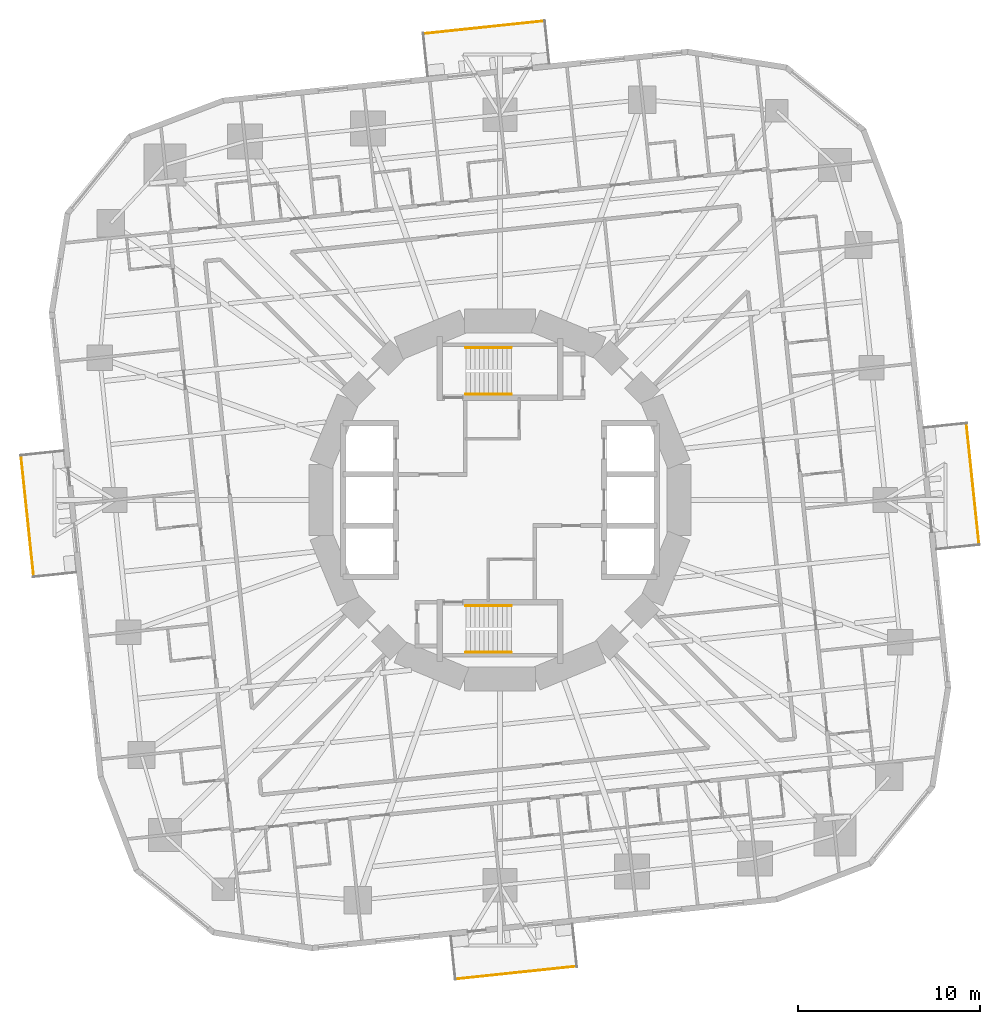
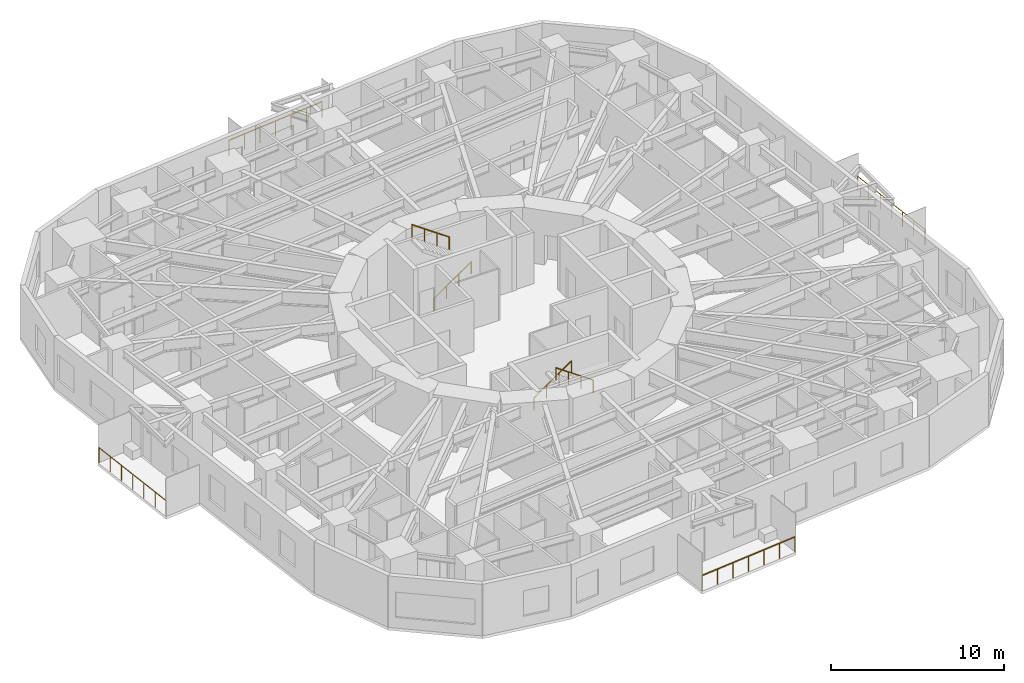
# One storey, part 12 of 13: 8 railings.
"""IFC4 building model written with IfcOpenShell, lengths in metres."""

from ifc_helpers import new_model, si_unit, direction, frame, origin, origin_2d, place, context, subcontext, project, spatial, circle, extrude, material, type_object, element, save


model = new_model("IFC4")

# Units and contexts
model_context = context("Model", 3, precision=1e-05, world=origin(), true_north=direction((0.0, 1.0)))
body_context = subcontext(model_context, "Body", "Model", "MODEL_VIEW")
ifc_project = project(units=[si_unit("LENGTHUNIT", "METRE"), si_unit("AREAUNIT", "SQUARE_METRE"), si_unit("VOLUMEUNIT", "CUBIC_METRE"), si_unit("PLANEANGLEUNIT", "RADIAN"), si_unit("MASSUNIT", "GRAM", prefix="KILO")], contexts=[model_context])

# Site, building, storey
site_placement = place(None, origin())
site = spatial("IfcSite", under=ifc_project, at=site_placement, CompositionType="ELEMENT")
building_placement = place(site_placement, origin())
building = spatial("IfcBuilding", under=site, at=building_placement, Name="Nakasero Lantern House", CompositionType="ELEMENT")
storey_placement = place(building_placement, frame((0.0, 0.0, 75.89990234375)))
storey = spatial("IfcBuildingStorey", under=building, at=storey_placement, Name="L18", CompositionType="ELEMENT", Elevation=75.89990234375)

# Railings
ifc_material_1 = material(Name="Aluminium 6063-T6", Category="aluminium")
railing_type_1 = type_object("IfcRailingType", Name="Balcony guard 1100", PredefinedType="BALUSTRADE", material=ifc_material_1)
railing_1_placement = place(storey_placement, frame((26.247802734375, -2.4296875, 0.0)))
element("IfcRailing", 1, at=railing_1_placement, inside=storey, type_object=railing_type_1, Name="Balcony guard L18 BAL0", PredefinedType="BALUSTRADE", context=body_context, shape_type="SweptSolid", body=[
    extrude(circle(Radius=0.02392578125, at=origin_2d()), frame((0.0, 0.0, 1.076171875), z_axis=(-0.104541525597, 0.994520522375, 0.0), x_axis=(-0.994520522375, -0.104541525597, 0.0)), (0.0, 0.0, 1.0), 6.6533203125),
    extrude(circle(Radius=0.02099609375, at=origin_2d()), origin(), (0.0, 0.0, 1.0), 1.052001953125),
    extrude(circle(Radius=0.02099609375, at=origin_2d()), frame((-0.115966796875, 1.102783203125, 0.0)), (0.0, 0.0, 1.0), 1.052001953125),
    extrude(circle(Radius=0.02099609375, at=origin_2d()), frame((-0.23193359375, 2.20556640625, 0.0)), (0.0, 0.0, 1.0), 1.052001953125),
    extrude(circle(Radius=0.02099609375, at=origin_2d()), frame((-0.34765625, 3.30859375, 0.0)), (0.0, 0.0, 1.0), 1.052001953125),
    extrude(circle(Radius=0.02099609375, at=origin_2d()), frame((-0.463623046875, 4.411376953125, 0.0)), (0.0, 0.0, 1.0), 1.052001953125),
    extrude(circle(Radius=0.02099609375, at=origin_2d()), frame((-0.57958984375, 5.51416015625, 0.0)), (0.0, 0.0, 1.0), 1.052001953125),
    extrude(circle(Radius=0.02099609375, at=origin_2d()), frame((-0.695556640625, 6.616943359375, 0.0)), (0.0, 0.0, 1.0), 1.052001953125),
])
railing_2_placement = place(storey_placement, frame((2.4296875, 26.247802734375, 0.0)))
element("IfcRailing", 2, at=railing_2_placement, inside=storey, type_object=railing_type_1, Name="Balcony guard L18 BAL1", PredefinedType="BALUSTRADE", context=body_context, shape_type="SweptSolid", body=[
    extrude(circle(Radius=0.02392578125, at=origin_2d()), frame((0.0, 0.0, 1.076171875), z_axis=(-0.994520522375, -0.104541525597, 0.0), x_axis=(0.104541525597, -0.994520522375, 0.0)), (0.0, 0.0, 1.0), 6.6533203125),
    extrude(circle(Radius=0.02099609375, at=origin_2d()), origin(), (0.0, 0.0, 1.0), 1.052001953125),
    extrude(circle(Radius=0.02099609375, at=origin_2d()), frame((-1.102783203125, -0.115966796875, 0.0)), (0.0, 0.0, 1.0), 1.052001953125),
    extrude(circle(Radius=0.02099609375, at=origin_2d()), frame((-2.20556640625, -0.23193359375, 0.0)), (0.0, 0.0, 1.0), 1.052001953125),
    extrude(circle(Radius=0.02099609375, at=origin_2d()), frame((-3.30859375, -0.34765625, 0.0)), (0.0, 0.0, 1.0), 1.052001953125),
    extrude(circle(Radius=0.02099609375, at=origin_2d()), frame((-4.411376953125, -0.463623046875, 0.0)), (0.0, 0.0, 1.0), 1.052001953125),
    extrude(circle(Radius=0.02099609375, at=origin_2d()), frame((-5.51416015625, -0.57958984375, 0.0)), (0.0, 0.0, 1.0), 1.052001953125),
    extrude(circle(Radius=0.02099609375, at=origin_2d()), frame((-6.616943359375, -0.695556640625, 0.0)), (0.0, 0.0, 1.0), 1.052001953125),
])
railing_3_placement = place(storey_placement, frame((-26.247802734375, 2.4296875, 0.0)))
element("IfcRailing", 3, at=railing_3_placement, inside=storey, type_object=railing_type_1, Name="Balcony guard L18 BAL2", PredefinedType="BALUSTRADE", context=body_context, shape_type="SweptSolid", body=[
    extrude(circle(Radius=0.02392578125, at=origin_2d()), frame((0.0, 0.0, 1.076171875), z_axis=(0.104541525597, -0.994520522375, 0.0), x_axis=(0.994520522375, 0.104541525597, 0.0)), (0.0, 0.0, 1.0), 6.6533203125),
    extrude(circle(Radius=0.02099609375, at=origin_2d()), origin(), (0.0, 0.0, 1.0), 1.052001953125),
    extrude(circle(Radius=0.02099609375, at=origin_2d()), frame((0.115966796875, -1.102783203125, 0.0)), (0.0, 0.0, 1.0), 1.052001953125),
    extrude(circle(Radius=0.02099609375, at=origin_2d()), frame((0.23193359375, -2.20556640625, 0.0)), (0.0, 0.0, 1.0), 1.052001953125),
    extrude(circle(Radius=0.02099609375, at=origin_2d()), frame((0.34765625, -3.30859375, 0.0)), (0.0, 0.0, 1.0), 1.052001953125),
    extrude(circle(Radius=0.02099609375, at=origin_2d()), frame((0.463623046875, -4.411376953125, 0.0)), (0.0, 0.0, 1.0), 1.052001953125),
    extrude(circle(Radius=0.02099609375, at=origin_2d()), frame((0.57958984375, -5.51416015625, 0.0)), (0.0, 0.0, 1.0), 1.052001953125),
    extrude(circle(Radius=0.02099609375, at=origin_2d()), frame((0.695556640625, -6.616943359375, 0.0)), (0.0, 0.0, 1.0), 1.052001953125),
])
railing_4_placement = place(storey_placement, frame((-2.4296875, -26.247802734375, 0.0)))
element("IfcRailing", 4, at=railing_4_placement, inside=storey, type_object=railing_type_1, Name="Balcony guard L18 BAL3", PredefinedType="BALUSTRADE", context=body_context, shape_type="SweptSolid", body=[
    extrude(circle(Radius=0.02392578125, at=origin_2d()), frame((0.0, 0.0, 1.076171875), z_axis=(0.994520522375, 0.104541525597, 0.0), x_axis=(-0.104541525597, 0.994520522375, 0.0)), (0.0, 0.0, 1.0), 6.6533203125),
    extrude(circle(Radius=0.02099609375, at=origin_2d()), origin(), (0.0, 0.0, 1.0), 1.052001953125),
    extrude(circle(Radius=0.02099609375, at=origin_2d()), frame((1.102783203125, 0.115966796875, 0.0)), (0.0, 0.0, 1.0), 1.052001953125),
    extrude(circle(Radius=0.02099609375, at=origin_2d()), frame((2.20556640625, 0.23193359375, 0.0)), (0.0, 0.0, 1.0), 1.052001953125),
    extrude(circle(Radius=0.02099609375, at=origin_2d()), frame((3.30859375, 0.34765625, 0.0)), (0.0, 0.0, 1.0), 1.052001953125),
    extrude(circle(Radius=0.02099609375, at=origin_2d()), frame((4.411376953125, 0.463623046875, 0.0)), (0.0, 0.0, 1.0), 1.052001953125),
    extrude(circle(Radius=0.02099609375, at=origin_2d()), frame((5.51416015625, 0.57958984375, 0.0)), (0.0, 0.0, 1.0), 1.052001953125),
    extrude(circle(Radius=0.02099609375, at=origin_2d()), frame((6.616943359375, 0.695556640625, 0.0)), (0.0, 0.0, 1.0), 1.052001953125),
])
ifc_material_2 = material(Name="Stainless steel 316", Category="steel")
railing_type_2 = type_object("IfcRailingType", Name="Stair handrail 900", PredefinedType="HANDRAIL", material=ifc_material_2)
railing_5_placement = place(storey_placement, frame((-1.875, 5.800048828125, 0.175048828125)))
element("IfcRailing", 5, at=railing_5_placement, inside=storey, type_object=railing_type_2, Name="Handrail ST1 L18 flight 1", PredefinedType="HANDRAIL", context=body_context, shape_type="SweptSolid", body=[
    extrude(circle(Radius=0.02392578125, at=origin_2d()), frame((0.0, 0.0, 0.8759765625), z_axis=(0.819231920519, 0.0, 0.573462344363), x_axis=(0.0, 1.0, 0.0)), (0.0, 0.0, 1.0), 3.0517578125),
    extrude(circle(Radius=0.02099609375, at=origin_2d()), origin(), (0.0, 0.0, 1.0), 0.851806640625),
    extrude(circle(Radius=0.02099609375, at=origin_2d()), frame((0.833251953125, 0.0, 0.583251953125)), (0.0, 0.0, 1.0), 0.851806640625),
    extrude(circle(Radius=0.02099609375, at=origin_2d()), frame((1.666748046875, 0.0, 1.166748046875)), (0.0, 0.0, 1.0), 0.851806640625),
    extrude(circle(Radius=0.02099609375, at=origin_2d()), frame((2.5, 0.0, 1.75)), (0.0, 0.0, 1.0), 0.851806640625),
])
railing_6_placement = place(storey_placement, frame((0.625, 8.35009765625, 2.10009765625)))
element("IfcRailing", 6, at=railing_6_placement, inside=storey, type_object=railing_type_2, Name="Handrail ST1 L18 flight 2", PredefinedType="HANDRAIL", context=body_context, shape_type="SweptSolid", body=[
    extrude(circle(Radius=0.02392578125, at=origin_2d()), frame((0.0, 0.0, 0.8759765625), z_axis=(-0.819231920519, 0.0, 0.573462344363), x_axis=(0.0, -1.0, 0.0)), (0.0, 0.0, 1.0), 3.0517578125),
    extrude(circle(Radius=0.02099609375, at=origin_2d()), origin(), (0.0, 0.0, 1.0), 0.851806640625),
    extrude(circle(Radius=0.02099609375, at=origin_2d()), frame((-0.833251953125, 0.0, 0.583251953125)), (0.0, 0.0, 1.0), 0.851806640625),
    extrude(circle(Radius=0.02099609375, at=origin_2d()), frame((-1.666748046875, 0.0, 1.166748046875)), (0.0, 0.0, 1.0), 0.851806640625),
    extrude(circle(Radius=0.02099609375, at=origin_2d()), frame((-2.5, 0.0, 1.75)), (0.0, 0.0, 1.0), 0.851806640625),
])
railing_7_placement = place(storey_placement, frame((-1.875, -5.800048828125, 0.175048828125)))
element("IfcRailing", 7, at=railing_7_placement, inside=storey, type_object=railing_type_2, Name="Handrail ST2 L18 flight 1", PredefinedType="HANDRAIL", context=body_context, shape_type="SweptSolid", body=[
    extrude(circle(Radius=0.02392578125, at=origin_2d()), frame((0.0, 0.0, 0.8759765625), z_axis=(0.819231920519, 0.0, 0.573462344363), x_axis=(0.0, 1.0, 0.0)), (0.0, 0.0, 1.0), 3.0517578125),
    extrude(circle(Radius=0.02099609375, at=origin_2d()), origin(), (0.0, 0.0, 1.0), 0.851806640625),
    extrude(circle(Radius=0.02099609375, at=origin_2d()), frame((0.833251953125, 0.0, 0.583251953125)), (0.0, 0.0, 1.0), 0.851806640625),
    extrude(circle(Radius=0.02099609375, at=origin_2d()), frame((1.666748046875, 0.0, 1.166748046875)), (0.0, 0.0, 1.0), 0.851806640625),
    extrude(circle(Radius=0.02099609375, at=origin_2d()), frame((2.5, 0.0, 1.75)), (0.0, 0.0, 1.0), 0.851806640625),
])
railing_8_placement = place(storey_placement, frame((0.625, -8.35009765625, 2.10009765625)))
element("IfcRailing", 8, at=railing_8_placement, inside=storey, type_object=railing_type_2, Name="Handrail ST2 L18 flight 2", PredefinedType="HANDRAIL", context=body_context, shape_type="SweptSolid", body=[
    extrude(circle(Radius=0.02392578125, at=origin_2d()), frame((0.0, 0.0, 0.8759765625), z_axis=(-0.819231920519, 0.0, 0.573462344363), x_axis=(0.0, -1.0, 0.0)), (0.0, 0.0, 1.0), 3.0517578125),
    extrude(circle(Radius=0.02099609375, at=origin_2d()), origin(), (0.0, 0.0, 1.0), 0.851806640625),
    extrude(circle(Radius=0.02099609375, at=origin_2d()), frame((-0.833251953125, 0.0, 0.583251953125)), (0.0, 0.0, 1.0), 0.851806640625),
    extrude(circle(Radius=0.02099609375, at=origin_2d()), frame((-1.666748046875, 0.0, 1.166748046875)), (0.0, 0.0, 1.0), 0.851806640625),
    extrude(circle(Radius=0.02099609375, at=origin_2d()), frame((-2.5, 0.0, 1.75)), (0.0, 0.0, 1.0), 0.851806640625),
])

save(model, "model.ifc")
